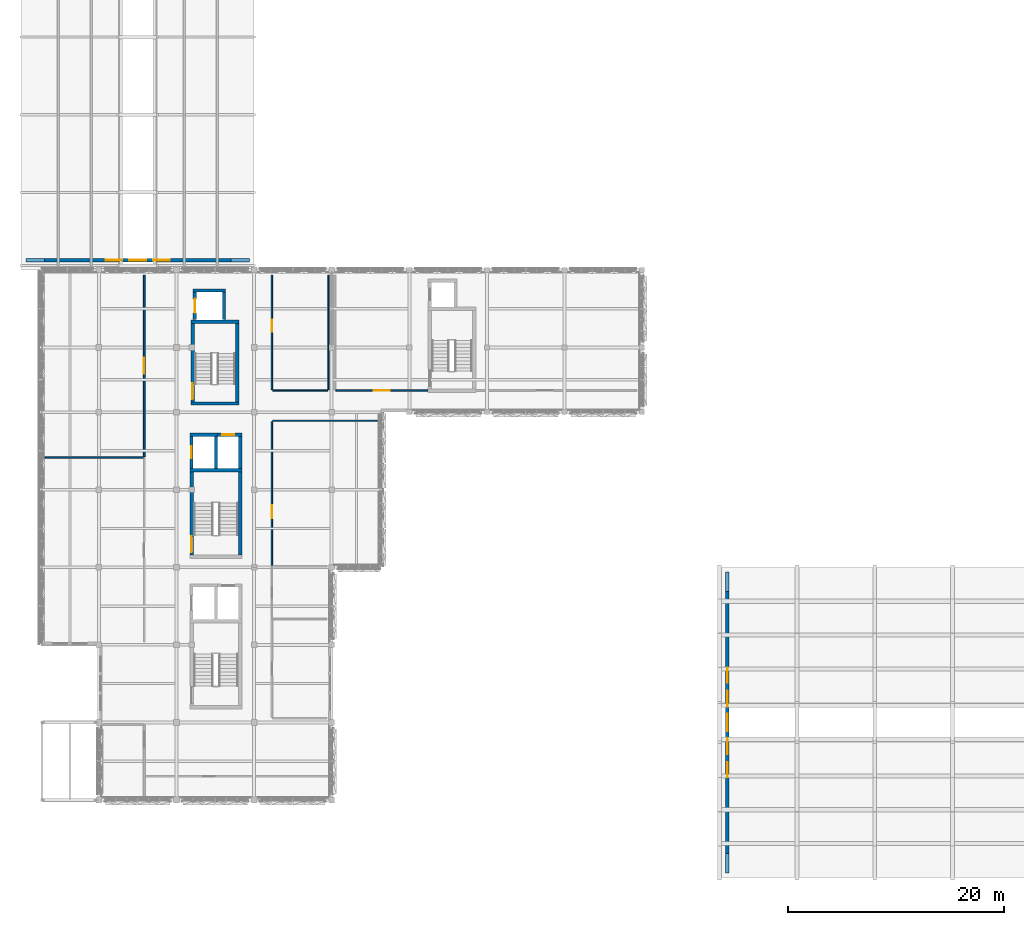
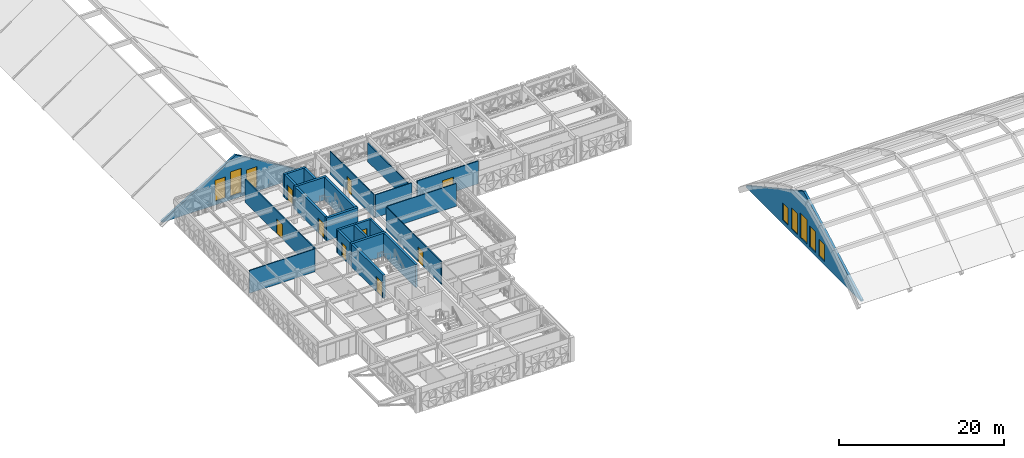
# One storey, part 31 of 48: 25 walls, 9 doors, 8 windows, 17 openings.
"""IFC4 building model written with IfcOpenShell, lengths in metres."""

import ifcopenshell
import ifcopenshell.guid

model = None  # the IFC model being written
_history = None  # IfcOwnerHistory: only IFC2X3 demands one
_inside = {}  # id of a spatial element -> (the spatial element, [elements in it])
_under = {}  # id of a project, library or spatial element -> (it, [spatial elements below it])
_declared = {}  # id of a project -> (the project, [libraries it declares])
_typed = {}  # id of a type object -> (the type object, [elements of that type])
_made_of = {}  # id of a material, layer set ... -> (it, [elements and type objects made of it])


def new_model(schema):
    """Start an empty IFC model of exactly this schema.

    Asked for "IFC4X3", IfcOpenShell would pick the latest addendum, in which some entities
    have other attributes; the version numbers below select the first issue.
    IFC2X3 requires an IfcOwnerHistory on every rooted entity: one is made here for all.
    """
    global model, _history
    if schema == "IFC4X3":
        model = ifcopenshell.file(schema_version=(4, 3, 0, 0))
    else:
        model = ifcopenshell.file(schema=schema)
    _inside.clear()
    _under.clear()
    _declared.clear()
    _typed.clear()
    _made_of.clear()
    _history = None
    if model.schema == "IFC2X3":
        org = make("IfcOrganization", Name="unknown")
        user = make(
            "IfcPersonAndOrganization",
            ThePerson=make("IfcPerson", FamilyName="unknown"),
            TheOrganization=org,
        )
        app = make(
            "IfcApplication",
            ApplicationDeveloper=org,
            Version="unknown",
            ApplicationFullName="unknown",
            ApplicationIdentifier="unknown",
        )
        _history = make(
            "IfcOwnerHistory",
            OwningUser=user,
            OwningApplication=app,
            ChangeAction="ADDED",
            CreationDate=0,
        )
    return model


def make(cls, **values):
    """One entity of the class cls with the attributes given. An attribute that is None is left unset."""
    return model.create_entity(
        cls, **{name: value for name, value in values.items() if value is not None}
    )


def rooted(cls, **values):
    """An entity with a GlobalId (a new one), such as an element, a storey or a relation."""
    return make(cls, GlobalId=ifcopenshell.guid.new(), OwnerHistory=_history, **values)


def si_unit(unit_type, name, prefix=None):
    """IfcSIUnit, for example si_unit("LENGTHUNIT", "METRE", prefix="MILLI")."""
    return make("IfcSIUnit", UnitType=unit_type, Prefix=prefix, Name=name)


def assignment(units):
    """IfcUnitAssignment: the units of a project."""
    return None if units is None else make("IfcUnitAssignment", Units=units)


def point(xyz):
    """IfcCartesianPoint."""
    return None if xyz is None else make("IfcCartesianPoint", Coordinates=xyz)


def direction(xyz):
    """IfcDirection."""
    return None if xyz is None else make("IfcDirection", DirectionRatios=xyz)


def frame(location, z_axis=None, x_axis=None):
    """IfcAxis2Placement3D, a coordinate frame: its origin and axes. An axis left out is left unset."""
    return make(
        "IfcAxis2Placement3D",
        Location=point(location),
        Axis=direction(z_axis),
        RefDirection=direction(x_axis),
    )


def frame_2d(location, x_axis=None):
    """IfcAxis2Placement2D, a coordinate frame in the plane: its origin and x axis."""
    return make(
        "IfcAxis2Placement2D", Location=point(location), RefDirection=direction(x_axis)
    )


def origin():
    """The frame at (0, 0, 0) with its axes left unset."""
    return frame((0.0, 0.0, 0.0))


def place(relative_to, where):
    """IfcLocalPlacement: puts the frame where relative to a parent placement (None: the world)."""
    return make(
        "IfcLocalPlacement", PlacementRelTo=relative_to, RelativePlacement=where
    )


def context(
    kind, dimensions, precision=None, world=None, true_north=None, identifier=None
):
    """IfcGeometricRepresentationContext, for example the 3D "Model" context."""
    return make(
        "IfcGeometricRepresentationContext",
        ContextIdentifier=identifier,
        ContextType=kind,
        CoordinateSpaceDimension=dimensions,
        Precision=precision,
        WorldCoordinateSystem=world,
        TrueNorth=true_north,
    )


def subcontext(parent, identifier, kind, view, scale=None):
    """IfcGeometricRepresentationSubContext, for example "Body" below "Model"."""
    return make(
        "IfcGeometricRepresentationSubContext",
        ContextIdentifier=identifier,
        ContextType=kind,
        ParentContext=parent,
        TargetScale=scale,
        TargetView=view,
    )


def project(units=None, contexts=None):
    """IfcProject with its units and contexts."""
    return rooted(
        "IfcProject",
        Name="project",
        RepresentationContexts=contexts,
        UnitsInContext=assignment(units),
    )


def spatial(cls, under=None, at=None, **own):
    """A site, building, storey or space (cls), placed at a placement, below another one or the project."""
    s = rooted(cls, ObjectPlacement=at, **own)
    if under is not None:
        _under.setdefault(under.id(), (under, []))[1].append(s)
    return s


def polyline(points):
    """IfcPolyline through the points."""
    return make("IfcPolyline", Points=[point(p) for p in points])


def profile(cls, at=None, kind="AREA", **sizes):
    """A parametric profile (cls). Its sizes go by their IFC names, for example OverallWidth=200.0."""
    return make(cls, ProfileType=kind, Position=at, **sizes)


def rectangle(**sizes):
    """IfcRectangleProfileDef."""
    return profile("IfcRectangleProfileDef", **sizes)


def outline(outer, holes=None, kind="AREA"):
    """IfcArbitraryClosedProfileDef: a profile drawn as a closed curve; with holes, ...WithVoids."""
    if holes is None:
        return make("IfcArbitraryClosedProfileDef", ProfileType=kind, OuterCurve=outer)
    return make(
        "IfcArbitraryProfileDefWithVoids",
        ProfileType=kind,
        OuterCurve=outer,
        InnerCurves=holes,
    )


def extrude(swept, where, along, depth):
    """IfcExtrudedAreaSolid: the profile swept, set in the frame where, extruded along a direction by depth."""
    return make(
        "IfcExtrudedAreaSolid",
        SweptArea=swept,
        Position=where,
        ExtrudedDirection=direction(along),
        Depth=depth,
    )


def shape(context_of_items, identifier, shape_type, items):
    """IfcShapeRepresentation: the items that make up one representation, for example the "Body"."""
    return make(
        "IfcShapeRepresentation",
        ContextOfItems=context_of_items,
        RepresentationIdentifier=identifier,
        RepresentationType=shape_type,
        Items=items,
    )


def material(Name=None, Category=None):
    """IfcMaterial."""
    return make("IfcMaterial", Name=Name, Category=Category)


def layer(
    of_material, thickness, ventilated=None, Name=None, Category=None, Priority=None
):
    """IfcMaterialLayer: one layer of a wall or slab, of a material (None: an air gap)."""
    return make(
        "IfcMaterialLayer",
        Material=of_material,
        LayerThickness=thickness,
        IsVentilated=ventilated,
        Name=Name,
        Category=Category,
        Priority=Priority,
    )


def layer_set(layers, Name=None):
    """IfcMaterialLayerSet."""
    return make("IfcMaterialLayerSet", MaterialLayers=layers, LayerSetName=Name)


def made_of(thing, what):
    """Note that an element or type object is made of a material, layer set ...; save() writes the relation."""
    if what is not None:
        _made_of.setdefault(what.id(), (what, []))[1].append(thing)
    return thing


def type_object(cls, material=None, **own):
    """A type object (cls), such as IfcWallType, which elements share."""
    return made_of(rooted(cls, **own), material)


def element(
    cls,
    number,
    at=None,
    inside=None,
    cuts=None,
    type_object=None,
    material=None,
    context=None,
    identifier="Body",
    shape_type=None,
    held_by="IfcProductDefinitionShape",
    body=None,
    shapes=None,
    **own,
):
    """One element of the class cls, such as IfcWall. Its Tag is "e" and its number.

    at: its placement. inside: the storey or other place that contains it. cuts: it is an
    opening in that element (IfcRelVoidsElement). A single representation is given by context,
    identifier, shape_type and body (its items); several are given by shapes. held_by: the class
    of the entity that holds the representations. save() writes the other relations.
    """
    e = rooted(cls, Tag="e%d" % number, ObjectPlacement=at, **own)
    if body is not None:
        shapes = [shape(context, identifier, shape_type, body)]
    if shapes is not None:
        e.Representation = make(held_by, Representations=shapes)
    if inside is not None:
        _inside.setdefault(inside.id(), (inside, []))[1].append(e)
    if cuts is not None:
        rooted(
            "IfcRelVoidsElement", RelatingBuildingElement=cuts, RelatedOpeningElement=e
        )
    if type_object is not None:
        _typed.setdefault(type_object.id(), (type_object, []))[1].append(e)
    return made_of(e, material)


def fill(opening, filler):
    """IfcRelFillsElement: the door or window that sits in an opening."""
    return rooted(
        "IfcRelFillsElement",
        RelatingOpeningElement=opening,
        RelatedBuildingElement=filler,
    )


def aggregate(whole, parts):
    """IfcRelAggregates: a whole, such as a stair, and the parts it consists of."""
    return rooted("IfcRelAggregates", RelatingObject=whole, RelatedObjects=parts)


def save(model, path):
    """Write the relations noted so far, then the file.

    IfcRelAggregates (storeys below a building ...), IfcRelContainedInSpatialStructure (elements
    in a storey), IfcRelDefinesByType, IfcRelAssociatesMaterial and IfcRelDeclares: one each for
    every whole, place, type object, material and project.
    """
    for whole, parts in _under.values():
        aggregate(whole, parts)
    for where, things in _inside.values():
        rooted(
            "IfcRelContainedInSpatialStructure",
            RelatedElements=things,
            RelatingStructure=where,
        )
    for kind, things in _typed.values():
        rooted("IfcRelDefinesByType", RelatedObjects=things, RelatingType=kind)
    for what, things in _made_of.values():
        rooted("IfcRelAssociatesMaterial", RelatedObjects=things, RelatingMaterial=what)
    for by, libraries in _declared.values():
        rooted("IfcRelDeclares", RelatingContext=by, RelatedDefinitions=libraries)
    model.write(path)


model = new_model("IFC4")

# Units and contexts
model_context = context("Model", 3, precision=1e-05, world=origin(), true_north=direction((0.0, 1.0)))
body_context = subcontext(model_context, "Body", "Model", "MODEL_VIEW")
ifc_project = project(units=[si_unit("LENGTHUNIT", "METRE"), si_unit("AREAUNIT", "SQUARE_METRE"), si_unit("VOLUMEUNIT", "CUBIC_METRE"), si_unit("PLANEANGLEUNIT", "RADIAN"), si_unit("MASSUNIT", "GRAM", prefix="KILO")], contexts=[model_context])

# Site, building, storey
site_placement = place(None, origin())
site = spatial("IfcSite", under=ifc_project, at=site_placement, CompositionType="ELEMENT")
building_placement = place(site_placement, origin())
building = spatial("IfcBuilding", under=site, at=building_placement, Name="Alvorim Cloister Faculty of Sciences", CompositionType="ELEMENT")
storey_placement = place(building_placement, frame((0.0, 0.0, 19.35009765625)))
storey = spatial("IfcBuildingStorey", under=building, at=storey_placement, Name="L05", CompositionType="ELEMENT", Elevation=19.35009765625)

# Wall, openings, windows
ifc_material_1 = material(Name="Precast Concrete C40", Category="concrete")
ifc_layer_1 = layer(ifc_material_1, 0.320068359375)
ifc_layer_set_1 = layer_set([ifc_layer_1], Name="Precast Concrete C40")
wall_type_1 = type_object("IfcWallType", Name="WL-EXT-PC-320", PredefinedType="SOLIDWALL", material=ifc_layer_set_1)
wall_1_placement = place(storey_placement, frame((0.449951171875, 57.300048828125, 0.0), z_axis=(0.0, 0.0, 1.0), x_axis=(1.0, 0.0, 0.0)))
wall_1 = element("IfcWall", 1, at=wall_1_placement, inside=storey, type_object=wall_type_1, Name="Learning Commons South Gothic Gable Tympanum WL-GBL-0248", PredefinedType="SOLIDWALL", context=body_context, shape_type="SweptSolid", body=[
    extrude(outline(polyline([(0.0, 0.0), (20.699951171875, 0.0), (20.699951171875, 0.199951171875), (10.35009765625, 6.388427734375), (0.0, 0.199951171875), (0.0, 0.0)])), frame((0.0, 0.16015625, 0.0), z_axis=(0.0, -1.0, 0.0), x_axis=(1.0, 0.0, 0.0)), (0.0, 0.0, 1.0), 0.320068359375),
])
opening_1_placement = place(wall_1_placement, frame((7.39990234375, 0.0, 0.550048828125)))
opening_1 = element("IfcOpeningElement", 2, at=opening_1_placement, cuts=wall_1, Name="Opening WA-02", PredefinedType="OPENING", context=body_context, shape_type="SweptSolid", body=[
    extrude(rectangle(XDim=1.5, YDim=3.10009765625, at=frame_2d((0.75, 1.550048828125))), frame((0.0, 0.171875, 0.0), z_axis=(0.0, -1.0, 0.0), x_axis=(1.0, 0.0, 0.0)), (0.0, 0.0, 1.0), 0.343994140625),
])
opening_2_placement = place(wall_1_placement, frame((9.550048828125, 0.0, 0.550048828125)))
opening_2 = element("IfcOpeningElement", 3, at=opening_2_placement, cuts=wall_1, Name="Opening WA-01", PredefinedType="OPENING", context=body_context, shape_type="SweptSolid", body=[
    extrude(rectangle(XDim=1.60009765625, YDim=3.60009765625, at=frame_2d((0.800048828125, 1.800048828125))), frame((0.0, 0.171875, 0.0), z_axis=(0.0, -1.0, 0.0), x_axis=(1.0, 0.0, 0.0)), (0.0, 0.0, 1.0), 0.343994140625),
])
opening_3_placement = place(wall_1_placement, frame((11.800048828125, 0.0, 0.550048828125)))
opening_3 = element("IfcOpeningElement", 4, at=opening_3_placement, cuts=wall_1, Name="Opening WA-02", PredefinedType="OPENING", context=body_context, shape_type="SweptSolid", body=[
    extrude(rectangle(XDim=1.5, YDim=3.10009765625, at=frame_2d((0.75, 1.550048828125))), frame((0.0, 0.171875, 0.0), z_axis=(0.0, -1.0, 0.0), x_axis=(1.0, 0.0, 0.0)), (0.0, 0.0, 1.0), 0.343994140625),
])
ifc_material_2 = material(Name="Double Low-E Laminated Glass", Category="glass")
window_type_1 = type_object("IfcWindowType", Name="WN-ARCH-1500x3100", PartitioningType="SINGLE_PANEL", PredefinedType="WINDOW", material=ifc_material_2)
window_1_placement = place(opening_1_placement, origin())
window_1 = element("IfcWindow", 5, at=window_1_placement, inside=storey, type_object=window_type_1, Name="Learning Commons South Lancet Clerestory WN-0269", OverallHeight=3.10009765625, OverallWidth=1.5, PartitioningType="SINGLE_PANEL", PredefinedType="WINDOW", context=body_context, shape_type="SweptSolid", body=[
    extrude(rectangle(XDim=1.5, YDim=3.10009765625, at=frame_2d((0.75, 1.550048828125))), frame((0.0, 0.030029296875, 0.0), z_axis=(0.0, -1.0, 0.0), x_axis=(1.0, 0.0, 0.0)), (0.0, 0.0, 1.0), 0.06005859375),
])
fill(opening_1, window_1)
window_2_placement = place(opening_3_placement, origin())
window_2 = element("IfcWindow", 6, at=window_2_placement, inside=storey, type_object=window_type_1, Name="Learning Commons South Lancet Clerestory WN-0271", OverallHeight=3.10009765625, OverallWidth=1.5, PartitioningType="SINGLE_PANEL", PredefinedType="WINDOW", context=body_context, shape_type="SweptSolid", body=[
    extrude(rectangle(XDim=1.5, YDim=3.10009765625, at=frame_2d((0.75, 1.550048828125))), frame((0.0, 0.030029296875, 0.0), z_axis=(0.0, -1.0, 0.0), x_axis=(1.0, 0.0, 0.0)), (0.0, 0.0, 1.0), 0.06005859375),
])
fill(opening_3, window_2)
window_type_2 = type_object("IfcWindowType", Name="WN-ARCH-1600x3600", PartitioningType="SINGLE_PANEL", PredefinedType="WINDOW", material=ifc_material_2)
window_3_placement = place(opening_2_placement, origin())
window_3 = element("IfcWindow", 7, at=window_3_placement, inside=storey, type_object=window_type_2, Name="Learning Commons South Lancet Clerestory WN-0270", OverallHeight=3.60009765625, OverallWidth=1.60009765625, PartitioningType="SINGLE_PANEL", PredefinedType="WINDOW", context=body_context, shape_type="SweptSolid", body=[
    extrude(rectangle(XDim=1.60009765625, YDim=3.60009765625, at=frame_2d((0.800048828125, 1.800048828125))), frame((0.0, 0.030029296875, 0.0), z_axis=(0.0, -1.0, 0.0), x_axis=(1.0, 0.0, 0.0)), (0.0, 0.0, 1.0), 0.06005859375),
])
fill(opening_2, window_3)

wall_2_placement = place(storey_placement, frame((65.52001953125, 0.449951171875, 0.0), z_axis=(0.0, 0.0, 1.0), x_axis=(0.0, 1.0, 0.0)))
wall_2 = element("IfcWall", 8, at=wall_2_placement, inside=storey, type_object=wall_type_1, Name="SH-V3 West Gothic Gable Tympanum WL-GBL-0253", PredefinedType="SOLIDWALL", context=body_context, shape_type="SweptSolid", body=[
    extrude(outline(polyline([(0.0, 0.0), (27.900146484375, 0.0), (27.89990234375, 0.219970703125), (13.949951171875, 7.833984375), (0.0, 0.219970703125), (0.0, 0.0)])), frame((0.0, 0.16015625, 0.0), z_axis=(0.0, -1.0, 0.0), x_axis=(1.0, 0.0, 0.0)), (0.0, 0.0, 1.0), 0.320068359375),
])
opening_4_placement = place(wall_2_placement, frame((8.85009765625, 0.0, 0.550048828125)))
opening_4 = element("IfcOpeningElement", 9, at=opening_4_placement, cuts=wall_2, Name="Opening WA-03", PredefinedType="OPENING", context=body_context, shape_type="SweptSolid", body=[
    extrude(rectangle(XDim=1.39990234375, YDim=2.5, at=frame_2d((0.699951171875, 1.25))), frame((0.0, 0.171875, 0.0), z_axis=(0.0, -1.0, 0.0), x_axis=(1.0, 0.0, 0.0)), (0.0, 0.0, 1.0), 0.343994140625),
])
opening_5_placement = place(wall_2_placement, frame((11.0, 0.0, 0.550048828125)))
opening_5 = element("IfcOpeningElement", 10, at=opening_5_placement, cuts=wall_2, Name="Opening WA-02", PredefinedType="OPENING", context=body_context, shape_type="SweptSolid", body=[
    extrude(rectangle(XDim=1.5, YDim=3.10009765625, at=frame_2d((0.75, 1.550048828125))), frame((0.0, 0.171875, 0.0), z_axis=(0.0, -1.0, 0.0), x_axis=(1.0, 0.0, 0.0)), (0.0, 0.0, 1.0), 0.343994140625),
])
opening_6_placement = place(wall_2_placement, frame((13.14990234375, 0.0, 0.550048828125)))
opening_6 = element("IfcOpeningElement", 11, at=opening_6_placement, cuts=wall_2, Name="Opening WA-01", PredefinedType="OPENING", context=body_context, shape_type="SweptSolid", body=[
    extrude(rectangle(XDim=1.60009765625, YDim=3.60009765625, at=frame_2d((0.800048828125, 1.800048828125))), frame((0.0, 0.171875, 0.0), z_axis=(0.0, -1.0, 0.0), x_axis=(1.0, 0.0, 0.0)), (0.0, 0.0, 1.0), 0.343994140625),
])
opening_7_placement = place(wall_2_placement, frame((15.39990234375, 0.0, 0.550048828125)))
opening_7 = element("IfcOpeningElement", 12, at=opening_7_placement, cuts=wall_2, Name="Opening WA-02", PredefinedType="OPENING", context=body_context, shape_type="SweptSolid", body=[
    extrude(rectangle(XDim=1.5, YDim=3.10009765625, at=frame_2d((0.75, 1.550048828125))), frame((0.0, 0.171875, 0.0), z_axis=(0.0, -1.0, 0.0), x_axis=(1.0, 0.0, 0.0)), (0.0, 0.0, 1.0), 0.343994140625),
])
opening_8_placement = place(wall_2_placement, frame((17.64990234375, 0.0, 0.550048828125)))
opening_8 = element("IfcOpeningElement", 13, at=opening_8_placement, cuts=wall_2, Name="Opening WA-03", PredefinedType="OPENING", context=body_context, shape_type="SweptSolid", body=[
    extrude(rectangle(XDim=1.39990234375, YDim=2.5, at=frame_2d((0.699951171875, 1.25))), frame((0.0, 0.171875, 0.0), z_axis=(0.0, -1.0, 0.0), x_axis=(1.0, 0.0, 0.0)), (0.0, 0.0, 1.0), 0.343994140625),
])
window_type_3 = type_object("IfcWindowType", Name="WN-ARCH-1400x2500", PartitioningType="SINGLE_PANEL", PredefinedType="WINDOW", material=ifc_material_2)
window_4_placement = place(opening_4_placement, origin())
window_4 = element("IfcWindow", 14, at=window_4_placement, inside=storey, type_object=window_type_3, Name="SH-V3 West Lancet Clerestory WN-0280", OverallHeight=2.5, OverallWidth=1.39990234375, PartitioningType="SINGLE_PANEL", PredefinedType="WINDOW", context=body_context, shape_type="SweptSolid", body=[
    extrude(rectangle(XDim=1.39990234375, YDim=2.5, at=frame_2d((0.699951171875, 1.25))), frame((0.0, 0.030029296875, 0.0), z_axis=(0.0, -1.0, 0.0), x_axis=(1.0, 0.0, 0.0)), (0.0, 0.0, 1.0), 0.06005859375),
])
fill(opening_4, window_4)
window_5_placement = place(opening_8_placement, origin())
window_5 = element("IfcWindow", 15, at=window_5_placement, inside=storey, type_object=window_type_3, Name="SH-V3 West Lancet Clerestory WN-0284", OverallHeight=2.5, OverallWidth=1.39990234375, PartitioningType="SINGLE_PANEL", PredefinedType="WINDOW", context=body_context, shape_type="SweptSolid", body=[
    extrude(rectangle(XDim=1.39990234375, YDim=2.5, at=frame_2d((0.699951171875, 1.25))), frame((0.0, 0.030029296875, 0.0), z_axis=(0.0, -1.0, 0.0), x_axis=(1.0, 0.0, 0.0)), (0.0, 0.0, 1.0), 0.06005859375),
])
fill(opening_8, window_5)
window_6_placement = place(opening_5_placement, origin())
window_6 = element("IfcWindow", 16, at=window_6_placement, inside=storey, type_object=window_type_1, Name="SH-V3 West Lancet Clerestory WN-0281", OverallHeight=3.10009765625, OverallWidth=1.5, PartitioningType="SINGLE_PANEL", PredefinedType="WINDOW", context=body_context, shape_type="SweptSolid", body=[
    extrude(rectangle(XDim=1.5, YDim=3.10009765625, at=frame_2d((0.75, 1.550048828125))), frame((0.0, 0.030029296875, 0.0), z_axis=(0.0, -1.0, 0.0), x_axis=(1.0, 0.0, 0.0)), (0.0, 0.0, 1.0), 0.06005859375),
])
fill(opening_5, window_6)
window_7_placement = place(opening_7_placement, origin())
window_7 = element("IfcWindow", 17, at=window_7_placement, inside=storey, type_object=window_type_1, Name="SH-V3 West Lancet Clerestory WN-0283", OverallHeight=3.10009765625, OverallWidth=1.5, PartitioningType="SINGLE_PANEL", PredefinedType="WINDOW", context=body_context, shape_type="SweptSolid", body=[
    extrude(rectangle(XDim=1.5, YDim=3.10009765625, at=frame_2d((0.75, 1.550048828125))), frame((0.0, 0.030029296875, 0.0), z_axis=(0.0, -1.0, 0.0), x_axis=(1.0, 0.0, 0.0)), (0.0, 0.0, 1.0), 0.06005859375),
])
fill(opening_7, window_7)
window_8_placement = place(opening_6_placement, origin())
window_8 = element("IfcWindow", 18, at=window_8_placement, inside=storey, type_object=window_type_2, Name="SH-V3 West Lancet Clerestory WN-0282", OverallHeight=3.60009765625, OverallWidth=1.60009765625, PartitioningType="SINGLE_PANEL", PredefinedType="WINDOW", context=body_context, shape_type="SweptSolid", body=[
    extrude(rectangle(XDim=1.60009765625, YDim=3.60009765625, at=frame_2d((0.800048828125, 1.800048828125))), frame((0.0, 0.030029296875, 0.0), z_axis=(0.0, -1.0, 0.0), x_axis=(1.0, 0.0, 0.0)), (0.0, 0.0, 1.0), 0.06005859375),
])
fill(opening_6, window_8)

# Wall
ifc_material_3 = material(Name="Acoustic Gypsum Stud Partition", Category="gypsum")
ifc_layer_2 = layer(ifc_material_3, 0.1201171875)
ifc_layer_set_2 = layer_set([ifc_layer_2], Name="Acoustic Gypsum Stud Partition")
wall_type_2 = type_object("IfcWallType", Name="WL-PRT-120", PredefinedType="PARTITIONING", material=ifc_layer_set_2)
wall_3_placement = place(storey_placement, frame((2.179931640625, 39.0, 0.0), z_axis=(0.0, 0.0, 1.0), x_axis=(1.0, 0.0, 0.0)))
element("IfcWall", 19, at=wall_3_placement, inside=storey, type_object=wall_type_2, Name="L05 Cantilevered Theoretical Physics Studio Partition IWL-0651", PredefinedType="PARTITIONING", context=body_context, shape_type="SweptSolid", body=[
    extrude(rectangle(XDim=9.14013671875, YDim=0.1201171875, at=frame_2d((4.570068359375, 0.0))), origin(), (0.0, 0.0, 1.0), 3.375),
])

# Wall, opening, door
wall_4_placement = place(storey_placement, frame((23.25, 28.97998046875, 0.0), z_axis=(0.0, 0.0, 1.0), x_axis=(0.0, 1.0, 0.0)))
wall_4 = element("IfcWall", 20, at=wall_4_placement, inside=storey, type_object=wall_type_2, Name="L05 East Cantilevered Seminar 501 Partition IWL-0658", PredefinedType="PARTITIONING", context=body_context, shape_type="SweptSolid", body=[
    extrude(rectangle(XDim=13.340087890625, YDim=0.1201171875, at=frame_2d((6.669921875, 0.0))), origin(), (0.0, 0.0, 1.0), 3.375),
])
opening_9_placement = place(wall_4_placement, frame((4.36376953125, 0.0, 0.0)))
opening_9 = element("IfcOpeningElement", 21, at=opening_9_placement, cuts=wall_4, Name="Opening D-L05-190", PredefinedType="OPENING", context=body_context, shape_type="SweptSolid", body=[
    extrude(rectangle(XDim=1.199951171875, YDim=2.14990234375, at=frame_2d((0.60009765625, 1.074951171875))), frame((0.0, 0.072021484375, 0.0), z_axis=(0.0, -1.0, 0.0), x_axis=(1.0, 0.0, 0.0)), (0.0, 0.0, 1.0), 0.14404296875),
])
ifc_material_4 = material(Name="Solid Acoustic Oak Timber", Category="wood")
door_type_1 = type_object("IfcDoorType", Name="DR-SEM-1200x2150", OperationType="NOTDEFINED", PredefinedType="DOOR", material=ifc_material_4)
door_1_placement = place(opening_9_placement, origin())
door_1 = element("IfcDoor", 22, at=door_1_placement, inside=storey, type_object=door_type_1, Name="East Cantilevered Seminar 501 Door D-L05-190", OperationType="SINGLE_SWING_RIGHT", OverallHeight=2.14990234375, OverallWidth=1.199951171875, PredefinedType="DOOR", context=body_context, shape_type="SweptSolid", body=[
    extrude(rectangle(XDim=1.199951171875, YDim=2.14990234375, at=frame_2d((0.60009765625, 1.074951171875))), frame((0.0, 0.02490234375, 0.0), z_axis=(0.0, -1.0, 0.0), x_axis=(1.0, 0.0, 0.0)), (0.0, 0.0, 1.0), 0.050048828125),
])
fill(opening_9, door_1)

# Wall
wall_5_placement = place(storey_placement, frame((23.330078125, 42.39990234375, 0.0), z_axis=(0.0, 0.0, 1.0), x_axis=(1.0, 0.0, 0.0)))
element("IfcWall", 23, at=wall_5_placement, inside=storey, type_object=wall_type_2, Name="L05 East Cantilevered Seminar 501 Partition IWL-0659", PredefinedType="PARTITIONING", context=body_context, shape_type="SweptSolid", body=[
    extrude(rectangle(XDim=9.68994140625, YDim=0.1201171875, at=frame_2d((4.844970703125, 0.0))), origin(), (0.0, 0.0, 1.0), 3.375),
])

# Wall, opening, door
wall_6_placement = place(storey_placement, frame((23.25, 45.280029296875, 0.0), z_axis=(0.0, 0.0, 1.0), x_axis=(0.0, 1.0, 0.0)))
wall_6 = element("IfcWall", 24, at=wall_6_placement, inside=storey, type_object=wall_type_2, Name="L05 Graduate Research Fellows Suite Partition IWL-0663", PredefinedType="PARTITIONING", context=body_context, shape_type="SweptSolid", body=[
    extrude(rectangle(XDim=10.639892578125, YDim=0.1201171875, at=frame_2d((5.31982421875, 0.0))), origin(), (0.0, 0.0, 1.0), 3.375),
])
opening_10_placement = place(wall_6_placement, frame((5.376708984375, 0.0, 0.0)))
opening_10 = element("IfcOpeningElement", 25, at=opening_10_placement, cuts=wall_6, Name="Opening D-L05-193", PredefinedType="OPENING", context=body_context, shape_type="SweptSolid", body=[
    extrude(rectangle(XDim=1.10009765625, YDim=2.14990234375, at=frame_2d((0.550048828125, 1.074951171875))), frame((0.0, 0.072021484375, 0.0), z_axis=(0.0, -1.0, 0.0), x_axis=(1.0, 0.0, 0.0)), (0.0, 0.0, 1.0), 0.14404296875),
])
door_type_2 = type_object("IfcDoorType", Name="DR-OFF-1100x2150", OperationType="NOTDEFINED", PredefinedType="DOOR", material=ifc_material_4)
door_2_placement = place(opening_10_placement, origin())
door_2 = element("IfcDoor", 26, at=door_2_placement, inside=storey, type_object=door_type_2, Name="Graduate Research Fellows Suite Door D-L05-193", OperationType="SINGLE_SWING_LEFT", OverallHeight=2.14990234375, OverallWidth=1.10009765625, PredefinedType="DOOR", context=body_context, shape_type="SweptSolid", body=[
    extrude(rectangle(XDim=1.10009765625, YDim=2.14990234375, at=frame_2d((0.550048828125, 1.074951171875))), frame((0.0, 0.02490234375, 0.0), z_axis=(0.0, -1.0, 0.0), x_axis=(1.0, 0.0, 0.0)), (0.0, 0.0, 1.0), 0.050048828125),
])
fill(opening_10, door_2)

# Walls
wall_7_placement = place(storey_placement, frame((23.330078125, 45.199951171875, 0.0), z_axis=(0.0, 0.0, 1.0), x_axis=(1.0, 0.0, 0.0)))
element("IfcWall", 27, at=wall_7_placement, inside=storey, type_object=wall_type_2, Name="L05 Graduate Research Fellows Suite Partition IWL-0664", PredefinedType="PARTITIONING", context=body_context, shape_type="SweptSolid", body=[
    extrude(rectangle(XDim=5.08984375, YDim=0.1201171875, at=frame_2d((2.544921875, 0.0))), origin(), (0.0, 0.0, 1.0), 3.375),
])
wall_8_placement = place(storey_placement, frame((28.5, 45.280029296875, 0.0), z_axis=(0.0, 0.0, 1.0), x_axis=(0.0, 1.0, 0.0)))
element("IfcWall", 28, at=wall_8_placement, inside=storey, type_object=wall_type_2, Name="L05 Graduate Research Fellows Suite Partition IWL-0665", PredefinedType="PARTITIONING", context=body_context, shape_type="SweptSolid", body=[
    extrude(rectangle(XDim=10.639892578125, YDim=0.1201171875, at=frame_2d((5.31982421875, 0.0))), origin(), (0.0, 0.0, 1.0), 2.71484375),
])

# Wall, opening, door
ifc_material_5 = material(Name="Gypsum Fireboard Stud Partition", Category="gypsum")
ifc_layer_3 = layer(ifc_material_5, 0.14990234375)
ifc_layer_set_3 = layer_set([ifc_layer_3], Name="Gypsum Fireboard Stud Partition")
wall_type_3 = type_object("IfcWallType", Name="WL-PRT-150", PredefinedType="PARTITIONING", material=ifc_layer_set_3)
wall_9_placement = place(storey_placement, frame((11.39990234375, 39.080078125, 0.0), z_axis=(0.0, 0.0, 1.0), x_axis=(0.0, 1.0, 0.0)))
wall_9 = element("IfcWall", 29, at=wall_9_placement, inside=storey, type_object=wall_type_3, Name="L05 Cantilevered Condensed-Matter Dry Lab Partition IWL-0652", PredefinedType="PARTITIONING", context=body_context, shape_type="SweptSolid", body=[
    extrude(rectangle(XDim=16.83984375, YDim=0.14990234375, at=frame_2d((8.419921875, 0.0))), origin(), (0.0, 0.0, 1.0), 3.375),
])
opening_11_placement = place(wall_9_placement, frame((7.669921875, 0.0, 0.0)))
opening_11 = element("IfcOpeningElement", 30, at=opening_11_placement, cuts=wall_9, Name="Opening D-L05-187", PredefinedType="OPENING", context=body_context, shape_type="SweptSolid", body=[
    extrude(rectangle(XDim=1.5, YDim=2.199951171875, at=frame_2d((0.75, 1.10009765625))), frame((0.0, 0.0869140625, 0.0), z_axis=(0.0, -1.0, 0.0), x_axis=(1.0, 0.0, 0.0)), (0.0, 0.0, 1.0), 0.173828125),
])
ifc_material_6 = material(Name="Fire-Rated Laminate Timber", Category="wood")
door_type_3 = type_object("IfcDoorType", Name="DR-LAB-1500x2200", OperationType="NOTDEFINED", PredefinedType="DOOR", material=ifc_material_6)
door_3_placement = place(opening_11_placement, origin())
door_3 = element("IfcDoor", 31, at=door_3_placement, inside=storey, type_object=door_type_3, Name="Cantilevered Condensed-Matter Dry Lab Door D-L05-187", OperationType="DOUBLE_DOOR_SINGLE_SWING", OverallHeight=2.199951171875, OverallWidth=1.5, PredefinedType="DOOR", context=body_context, shape_type="SweptSolid", body=[
    extrude(rectangle(XDim=1.5, YDim=2.199951171875, at=frame_2d((0.75, 1.10009765625))), frame((0.0, 0.02490234375, 0.0), z_axis=(0.0, -1.0, 0.0), x_axis=(1.0, 0.0, 0.0)), (0.0, 0.0, 1.0), 0.050048828125),
])
fill(opening_11, door_3)

wall_10_placement = place(storey_placement, frame((29.179931640625, 45.199951171875, 0.0), z_axis=(0.0, 0.0, 1.0), x_axis=(1.0, 0.0, 0.0)))
wall_10 = element("IfcWall", 32, at=wall_10_placement, inside=storey, type_object=wall_type_3, Name="L05 Neuroscience Electrophysiology Lab Partition IWL-0661", PredefinedType="PARTITIONING", context=body_context, shape_type="SweptSolid", body=[
    extrude(rectangle(XDim=8.5400390625, YDim=0.14990234375, at=frame_2d((4.27001953125, 0.0))), origin(), (0.0, 0.0, 1.0), 3.375),
])
opening_12_placement = place(wall_10_placement, frame((3.52001953125, 0.0, 0.0)))
opening_12 = element("IfcOpeningElement", 33, at=opening_12_placement, cuts=wall_10, Name="Opening D-L05-191", PredefinedType="OPENING", context=body_context, shape_type="SweptSolid", body=[
    extrude(rectangle(XDim=1.5, YDim=2.199951171875, at=frame_2d((0.75, 1.10009765625))), frame((0.0, 0.0869140625, 0.0), z_axis=(0.0, -1.0, 0.0), x_axis=(1.0, 0.0, 0.0)), (0.0, 0.0, 1.0), 0.173828125),
])
door_4_placement = place(opening_12_placement, origin())
door_4 = element("IfcDoor", 34, at=door_4_placement, inside=storey, type_object=door_type_3, Name="Neuroscience Electrophysiology Lab Door D-L05-191", OperationType="DOUBLE_DOOR_SINGLE_SWING", OverallHeight=2.199951171875, OverallWidth=1.5, PredefinedType="DOOR", context=body_context, shape_type="SweptSolid", body=[
    extrude(rectangle(XDim=1.5, YDim=2.199951171875, at=frame_2d((0.75, 1.10009765625))), frame((0.0, 0.02490234375, 0.0), z_axis=(0.0, -1.0, 0.0), x_axis=(1.0, 0.0, 0.0)), (0.0, 0.0, 1.0), 0.050048828125),
])
fill(opening_12, door_4)

# Wall
ifc_material_7 = material(Name="Concrete C40", Category="concrete")
ifc_layer_4 = layer(ifc_material_7, 0.300048828125)
ifc_layer_set_4 = layer_set([ifc_layer_4], Name="Concrete C40")
wall_type_4 = type_object("IfcWallType", Name="WL-SHR-300", PredefinedType="SHEAR", material=ifc_layer_set_4)
wall_11_placement = place(storey_placement, frame((15.64990234375, 41.10009765625, 0.0), z_axis=(0.0, 0.0, 1.0), x_axis=(1.0, 0.0, 0.0)))
element("IfcWall", 35, at=wall_11_placement, inside=storey, type_object=wall_type_4, Name="L05 Lift LP-02 Shaft Wall IWL-0306", PredefinedType="SHEAR", context=body_context, shape_type="SweptSolid", body=[
    extrude(rectangle(XDim=2.56005859375, YDim=0.300048828125, at=frame_2d((1.280029296875, 0.0))), origin(), (0.0, 0.0, 1.0), 3.389892578125),
])

# Wall, opening, door
wall_12_placement = place(storey_placement, frame((15.800048828125, 37.97998046875, 0.0), z_axis=(0.0, 0.0, 1.0), x_axis=(0.0, 1.0, 0.0)))
wall_12 = element("IfcWall", 36, at=wall_12_placement, inside=storey, type_object=wall_type_4, Name="L05 Lift LP-02 Shaft Wall IWL-0307", PredefinedType="SHEAR", context=body_context, shape_type="SweptSolid", body=[
    extrude(rectangle(XDim=2.969970703125, YDim=0.300048828125, at=frame_2d((1.48486328125, 0.0))), origin(), (0.0, 0.0, 1.0), 3.389892578125),
])
opening_13_placement = place(wall_12_placement, frame((0.93505859375, 0.0, 0.0)))
opening_13 = element("IfcOpeningElement", 37, at=opening_13_placement, cuts=wall_12, Name="Opening LD-029", PredefinedType="OPENING", context=body_context, shape_type="SweptSolid", body=[
    extrude(rectangle(XDim=1.10009765625, YDim=2.199951171875, at=frame_2d((0.550048828125, 1.10009765625))), frame((0.0, 0.162109375, 0.0), z_axis=(0.0, -1.0, 0.0), x_axis=(1.0, 0.0, 0.0)), (0.0, 0.0, 1.0), 0.323974609375),
])
ifc_material_8 = material(Name="Brushed Stainless Steel", Category="steel")
door_type_4 = type_object("IfcDoorType", Name="DR-LFT-1100x2200", OperationType="NOTDEFINED", PredefinedType="DOOR", material=ifc_material_8)
door_5_placement = place(opening_13_placement, origin())
door_5 = element("IfcDoor", 38, at=door_5_placement, inside=storey, type_object=door_type_4, Name="L05 Lift LP-02 Sliding Landing Door LD-029", OperationType="DOUBLE_DOOR_SLIDING", OverallHeight=2.199951171875, OverallWidth=1.10009765625, PredefinedType="DOOR", context=body_context, shape_type="SweptSolid", body=[
    extrude(rectangle(XDim=1.10009765625, YDim=2.199951171875, at=frame_2d((0.550048828125, 1.10009765625))), frame((0.0, 0.02490234375, 0.0), z_axis=(0.0, -1.0, 0.0), x_axis=(1.0, 0.0, 0.0)), (0.0, 0.0, 1.0), 0.050048828125),
])
fill(opening_13, door_5)

# Wall
wall_13_placement = place(storey_placement, frame((18.06005859375, 37.97998046875, 0.0), z_axis=(0.0, 0.0, 1.0), x_axis=(0.0, 1.0, 0.0)))
element("IfcWall", 39, at=wall_13_placement, inside=storey, type_object=wall_type_4, Name="L05 Lift LP-02 Shaft Wall IWL-0308", PredefinedType="SHEAR", context=body_context, shape_type="SweptSolid", body=[
    extrude(rectangle(XDim=2.969970703125, YDim=0.300048828125, at=frame_2d((1.48486328125, 0.0))), origin(), (0.0, 0.0, 1.0), 3.389892578125),
])

# Wall, opening, door
wall_14_placement = place(storey_placement, frame((17.909912109375, 41.10009765625, 0.0), z_axis=(0.0, 0.0, 1.0), x_axis=(1.0, 0.0, 0.0)))
wall_14 = element("IfcWall", 40, at=wall_14_placement, inside=storey, type_object=wall_type_4, Name="L05 Lift LP-03 Shaft Wall IWL-0330", PredefinedType="SHEAR", context=body_context, shape_type="SweptSolid", body=[
    extrude(rectangle(XDim=2.56005859375, YDim=0.300048828125, at=frame_2d((1.280029296875, 0.0))), origin(), (0.0, 0.0, 1.0), 3.389892578125),
])
opening_14_placement = place(wall_14_placement, frame((0.72998046875, 0.0, 0.0)))
opening_14 = element("IfcOpeningElement", 41, at=opening_14_placement, cuts=wall_14, Name="Opening LD-039", PredefinedType="OPENING", context=body_context, shape_type="SweptSolid", body=[
    extrude(rectangle(XDim=1.10009765625, YDim=2.199951171875, at=frame_2d((0.550048828125, 1.10009765625))), frame((0.0, 0.162109375, 0.0), z_axis=(0.0, -1.0, 0.0), x_axis=(1.0, 0.0, 0.0)), (0.0, 0.0, 1.0), 0.323974609375),
])
door_6_placement = place(opening_14_placement, origin())
door_6 = element("IfcDoor", 42, at=door_6_placement, inside=storey, type_object=door_type_4, Name="L05 Lift LP-03 Sliding Landing Door LD-039", OperationType="DOUBLE_DOOR_SLIDING", OverallHeight=2.199951171875, OverallWidth=1.10009765625, PredefinedType="DOOR", context=body_context, shape_type="SweptSolid", body=[
    extrude(rectangle(XDim=1.10009765625, YDim=2.199951171875, at=frame_2d((0.550048828125, 1.10009765625))), frame((0.0, 0.02490234375, 0.0), z_axis=(0.0, -1.0, 0.0), x_axis=(1.0, 0.0, 0.0)), (0.0, 0.0, 1.0), 0.050048828125),
])
fill(opening_14, door_6)

# Walls
wall_15_placement = place(storey_placement, frame((20.320068359375, 37.97998046875, 0.0), z_axis=(0.0, 0.0, 1.0), x_axis=(0.0, 1.0, 0.0)))
element("IfcWall", 43, at=wall_15_placement, inside=storey, type_object=wall_type_4, Name="L05 Lift LP-03 Shaft Wall IWL-0331", PredefinedType="SHEAR", context=body_context, shape_type="SweptSolid", body=[
    extrude(rectangle(XDim=2.969970703125, YDim=0.300048828125, at=frame_2d((1.48486328125, 0.0))), origin(), (0.0, 0.0, 1.0), 3.389892578125),
])
wall_16_placement = place(storey_placement, frame((15.949951171875, 54.5, 0.0), z_axis=(0.0, 0.0, 1.0), x_axis=(1.0, 0.0, 0.0)))
element("IfcWall", 44, at=wall_16_placement, inside=storey, type_object=wall_type_4, Name="L05 Lift LG-01 Shaft Wall IWL-0398", PredefinedType="SHEAR", context=body_context, shape_type="SweptSolid", body=[
    extrude(rectangle(XDim=3.0, YDim=0.300048828125, at=frame_2d((1.5, 0.0))), origin(), (0.0, 0.0, 1.0), 3.389892578125),
])

# Wall, opening, door
wall_17_placement = place(storey_placement, frame((16.10009765625, 51.780029296875, 0.0), z_axis=(0.0, 0.0, 1.0), x_axis=(0.0, 1.0, 0.0)))
wall_17 = element("IfcWall", 45, at=wall_17_placement, inside=storey, type_object=wall_type_4, Name="L05 Lift LG-01 Shaft Wall IWL-0399", PredefinedType="SHEAR", context=body_context, shape_type="SweptSolid", body=[
    extrude(rectangle(XDim=2.570068359375, YDim=0.300048828125, at=frame_2d((1.28515625, 0.0))), origin(), (0.0, 0.0, 1.0), 3.389892578125),
])
opening_15_placement = place(wall_17_placement, frame((0.635009765625, 0.0, 0.0)))
opening_15 = element("IfcOpeningElement", 46, at=opening_15_placement, cuts=wall_17, Name="Opening LD-063", PredefinedType="OPENING", context=body_context, shape_type="SweptSolid", body=[
    extrude(rectangle(XDim=1.300048828125, YDim=2.25, at=frame_2d((0.64990234375, 1.125))), frame((0.0, 0.162109375, 0.0), z_axis=(0.0, -1.0, 0.0), x_axis=(1.0, 0.0, 0.0)), (0.0, 0.0, 1.0), 0.323974609375),
])
door_type_5 = type_object("IfcDoorType", Name="DR-LFT-1300x2250", OperationType="NOTDEFINED", PredefinedType="DOOR", material=ifc_material_8)
door_7_placement = place(opening_15_placement, origin())
door_7 = element("IfcDoor", 47, at=door_7_placement, inside=storey, type_object=door_type_5, Name="L05 Lift LG-01 Sliding Landing Door LD-063", OperationType="DOUBLE_DOOR_SLIDING", OverallHeight=2.25, OverallWidth=1.300048828125, PredefinedType="DOOR", context=body_context, shape_type="SweptSolid", body=[
    extrude(rectangle(XDim=1.300048828125, YDim=2.25, at=frame_2d((0.64990234375, 1.125))), frame((0.0, 0.02490234375, 0.0), z_axis=(0.0, -1.0, 0.0), x_axis=(1.0, 0.0, 0.0)), (0.0, 0.0, 1.0), 0.050048828125),
])
fill(opening_15, door_7)

# Walls
wall_18_placement = place(storey_placement, frame((18.800048828125, 51.780029296875, 0.0), z_axis=(0.0, 0.0, 1.0), x_axis=(0.0, 1.0, 0.0)))
element("IfcWall", 48, at=wall_18_placement, inside=storey, type_object=wall_type_4, Name="L05 Lift LG-01 Shaft Wall IWL-0400", PredefinedType="SHEAR", context=body_context, shape_type="SweptSolid", body=[
    extrude(rectangle(XDim=2.570068359375, YDim=0.300048828125, at=frame_2d((1.28515625, 0.0))), origin(), (0.0, 0.0, 1.0), 3.389892578125),
])
ifc_layer_5 = layer(ifc_material_7, 0.320068359375)
ifc_layer_set_5 = layer_set([ifc_layer_5], Name="Concrete C40")
wall_type_5 = type_object("IfcWallType", Name="WL-SHR-320", PredefinedType="SHEAR", material=ifc_layer_set_5)
wall_19_placement = place(storey_placement, frame((15.639892578125, 37.800048828125, 0.0), z_axis=(0.0, 0.0, 1.0), x_axis=(1.0, 0.0, 0.0)))
element("IfcWall", 49, at=wall_19_placement, inside=storey, type_object=wall_type_5, Name="L05 CORE K2 Shear Wall IWL-0070", PredefinedType="SHEAR", context=body_context, shape_type="SweptSolid", body=[
    extrude(rectangle(XDim=4.840087890625, YDim=0.320068359375, at=frame_2d((2.419921875, 0.0))), origin(), (0.0, 0.0, 1.0), 3.389892578125),
])

# Wall, opening, door
wall_20_placement = place(storey_placement, frame((15.800048828125, 29.9599609375, 0.0), z_axis=(0.0, 0.0, 1.0), x_axis=(0.0, 1.0, 0.0)))
wall_20 = element("IfcWall", 50, at=wall_20_placement, inside=storey, type_object=wall_type_5, Name="L05 CORE K2 Shear Wall IWL-0071", PredefinedType="SHEAR", context=body_context, shape_type="SweptSolid", body=[
    extrude(rectangle(XDim=7.679931640625, YDim=0.320068359375, at=frame_2d((3.83984375, 0.0))), origin(), (0.0, 0.0, 1.0), 3.389892578125),
])
opening_16_placement = place(wall_20_placement, frame((0.219970703125, 0.0, 0.0)))
opening_16 = element("IfcOpeningElement", 51, at=opening_16_placement, cuts=wall_20, Name="Opening SD-K2-L05", PredefinedType="OPENING", context=body_context, shape_type="SweptSolid", body=[
    extrude(rectangle(XDim=1.5, YDim=2.199951171875, at=frame_2d((0.75, 1.10009765625))), frame((0.0, 0.171875, 0.0), z_axis=(0.0, -1.0, 0.0), x_axis=(1.0, 0.0, 0.0)), (0.0, 0.0, 1.0), 0.343994140625),
])
ifc_material_9 = material(Name="Galvanised Fire-Rated Steel", Category="steel")
door_type_6 = type_object("IfcDoorType", Name="DR-STR-1500x2200", OperationType="NOTDEFINED", PredefinedType="DOOR", material=ifc_material_9)
door_8_placement = place(opening_16_placement, origin())
door_8 = element("IfcDoor", 52, at=door_8_placement, inside=storey, type_object=door_type_6, Name="L05 Stair ST-02 Fire Door SD-K2-L05", OperationType="DOUBLE_DOOR_SINGLE_SWING", OverallHeight=2.199951171875, OverallWidth=1.5, PredefinedType="DOOR", context=body_context, shape_type="SweptSolid", body=[
    extrude(rectangle(XDim=1.5, YDim=2.199951171875, at=frame_2d((0.75, 1.10009765625))), frame((0.0, 0.02490234375, 0.0), z_axis=(0.0, -1.0, 0.0), x_axis=(1.0, 0.0, 0.0)), (0.0, 0.0, 1.0), 0.050048828125),
])
fill(opening_16, door_8)

# Walls
wall_21_placement = place(storey_placement, frame((20.320068359375, 29.9599609375, 0.0), z_axis=(0.0, 0.0, 1.0), x_axis=(0.0, 1.0, 0.0)))
element("IfcWall", 53, at=wall_21_placement, inside=storey, type_object=wall_type_5, Name="L05 CORE K2 Shear Wall IWL-0072", PredefinedType="SHEAR", context=body_context, shape_type="SweptSolid", body=[
    extrude(rectangle(XDim=7.679931640625, YDim=0.320068359375, at=frame_2d((3.83984375, 0.0))), origin(), (0.0, 0.0, 1.0), 3.389892578125),
])
for number, where, z_axis, x_axis, name in (
    (54, (15.739990234375, 44.0, 0.0), (0.0, 0.0, 1.0), (1.0, 0.0, 0.0), "L05 CORE K3 Shear Wall IWL-0113"),
    (55, (15.739990234375, 51.60009765625, 0.0), (0.0, 0.0, 1.0), (1.0, 0.0, 0.0), "L05 CORE K3 Shear Wall IWL-0114"),
):
    element("IfcWall", number, at=place(storey_placement, frame(where, z_axis=z_axis, x_axis=x_axis)), inside=storey, type_object=wall_type_5, Name=name, PredefinedType="SHEAR", context=body_context, shape_type="SweptSolid", body=[
        extrude(rectangle(XDim=4.43994140625, YDim=0.320068359375, at=frame_2d((2.219970703125, 0.0))), origin(), (0.0, 0.0, 1.0), 3.389892578125),
    ])

# Wall, opening, door
wall_22_placement = place(storey_placement, frame((15.89990234375, 44.159912109375, 0.0), z_axis=(0.0, 0.0, 1.0), x_axis=(0.0, 1.0, 0.0)))
wall_22 = element("IfcWall", 56, at=wall_22_placement, inside=storey, type_object=wall_type_5, Name="L05 CORE K3 Shear Wall IWL-0115", PredefinedType="SHEAR", context=body_context, shape_type="SweptSolid", body=[
    extrude(rectangle(XDim=7.280029296875, YDim=0.320068359375, at=frame_2d((3.64013671875, 0.0))), origin(), (0.0, 0.0, 1.0), 3.389892578125),
])
opening_17_placement = place(wall_22_placement, frame((0.219970703125, 0.0, 0.0)))
opening_17 = element("IfcOpeningElement", 57, at=opening_17_placement, cuts=wall_22, Name="Opening SD-K3-L05", PredefinedType="OPENING", context=body_context, shape_type="SweptSolid", body=[
    extrude(rectangle(XDim=1.5, YDim=2.199951171875, at=frame_2d((0.75, 1.10009765625))), frame((0.0, 0.171875, 0.0), z_axis=(0.0, -1.0, 0.0), x_axis=(1.0, 0.0, 0.0)), (0.0, 0.0, 1.0), 0.343994140625),
])
door_9_placement = place(opening_17_placement, origin())
door_9 = element("IfcDoor", 58, at=door_9_placement, inside=storey, type_object=door_type_6, Name="L05 Stair ST-03 Fire Door SD-K3-L05", OperationType="DOUBLE_DOOR_SINGLE_SWING", OverallHeight=2.199951171875, OverallWidth=1.5, PredefinedType="DOOR", context=body_context, shape_type="SweptSolid", body=[
    extrude(rectangle(XDim=1.5, YDim=2.199951171875, at=frame_2d((0.75, 1.10009765625))), frame((0.0, 0.02490234375, 0.0), z_axis=(0.0, -1.0, 0.0), x_axis=(1.0, 0.0, 0.0)), (0.0, 0.0, 1.0), 0.050048828125),
])
fill(opening_17, door_9)

# Wall
wall_23_placement = place(storey_placement, frame((20.02001953125, 44.159912109375, 0.0), z_axis=(0.0, 0.0, 1.0), x_axis=(0.0, 1.0, 0.0)))
element("IfcWall", 59, at=wall_23_placement, inside=storey, type_object=wall_type_5, Name="L05 CORE K3 Shear Wall IWL-0116", PredefinedType="SHEAR", context=body_context, shape_type="SweptSolid", body=[
    extrude(rectangle(XDim=7.280029296875, YDim=0.320068359375, at=frame_2d((3.64013671875, 0.0))), origin(), (0.0, 0.0, 1.0), 3.389892578125),
])

save(model, "model.ifc")
